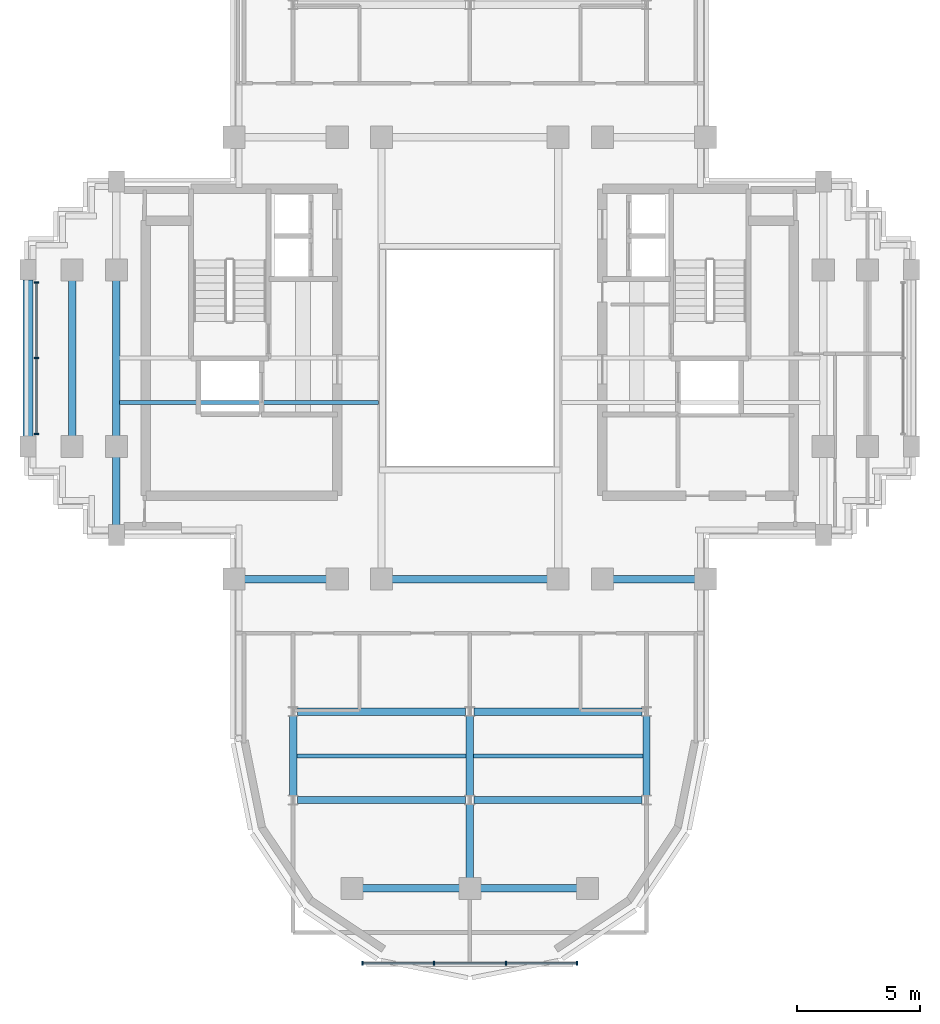
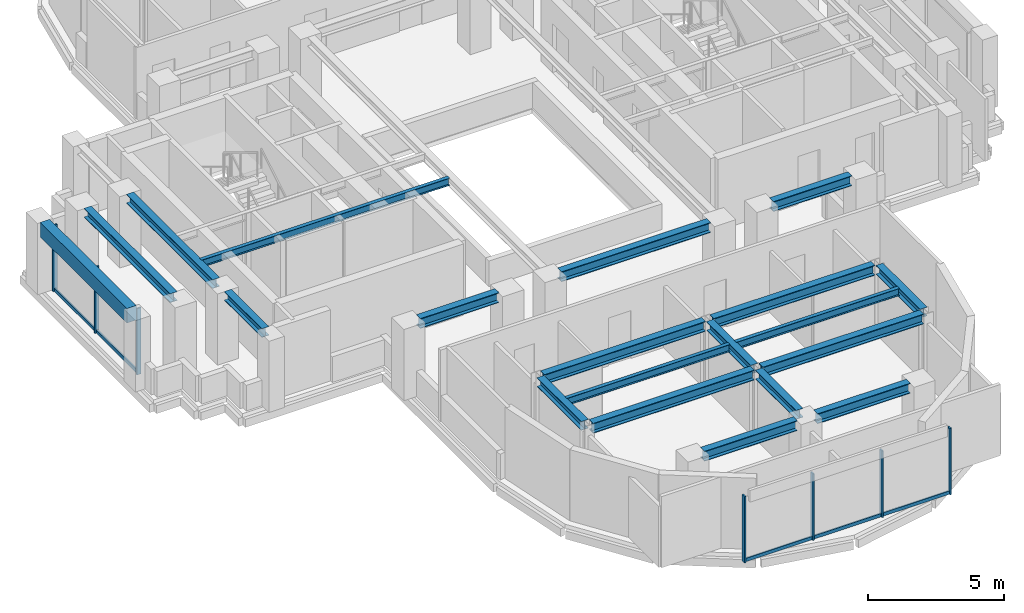
# One storey, part 2 of 11: 20 beams, 12 members, 2 elements without a shape of their own.
"""IFC4 building model written with IfcOpenShell, lengths in metres."""

from ifc_helpers import new_model, si_unit, direction, frame, origin, origin_2d, place, context, subcontext, project, spatial, rectangle, i_section, extrude, source, transform, mapped, material, material_profile, profile_set, type_object, element, aggregate, save


model = new_model("IFC4")

# Units and contexts
model_context = context("Model", 3, precision=1e-05, world=origin(), true_north=direction((0.0, 1.0)))
body_context = subcontext(model_context, "Body", "Model", "MODEL_VIEW")
ifc_project = project(units=[si_unit("LENGTHUNIT", "METRE"), si_unit("AREAUNIT", "SQUARE_METRE"), si_unit("VOLUMEUNIT", "CUBIC_METRE"), si_unit("PLANEANGLEUNIT", "RADIAN"), si_unit("MASSUNIT", "GRAM", prefix="KILO")], contexts=[model_context])

# Site, building, storey
site_placement = place(None, origin())
site = spatial("IfcSite", under=ifc_project, at=site_placement, CompositionType="ELEMENT")
building_placement = place(site_placement, origin())
building = spatial("IfcBuilding", under=site, at=building_placement, Name="Keilestroom Media Tower", CompositionType="ELEMENT")
storey_placement = place(building_placement, frame((0.0, 0.0, 201.199951171875)))
storey = spatial("IfcBuildingStorey", under=building, at=storey_placement, Name="L55", CompositionType="ELEMENT", Elevation=201.199951171875)

# Beams
ifc_material_1 = material(Name="Steel S355", Category="steel")
ifc_material_profile_1 = material_profile(ifc_material_1, i_section(OverallWidth=0.300048828125, OverallDepth=0.449951171875, WebThickness=0.011962890625, FlangeThickness=0.02587890625, at=origin_2d()), Name="HEB 450")
ifc_profile_set_1 = profile_set([ifc_material_profile_1], Name="Steel S355")
beam_type_1 = type_object("IfcBeamType", Name="Primary-Structural-Girder-HEB-450", PredefinedType="BEAM", material=ifc_profile_set_1)
shared_shape_1 = source(origin(), body_context, "Body", "SweptSolid", [
    extrude(i_section(OverallWidth=0.300048828125, OverallDepth=0.449951171875, WebThickness=0.011962890625, FlangeThickness=0.02587890625, at=origin_2d()), origin(), (0.0, 0.0, 1.0), 3.940185546875),
])
for number, where, z_axis, x_axis, name in (
    (1, (-4.3701171875, -21.60009765625, 2.97509765625), (1.0, 0.0, 0.0), (0.0, 1.0, 0.0), "L55 Beam BG-7 BM-L55-EW-001"),
    (2, (0.429931640625, -21.60009765625, 2.97509765625), (1.0, 0.0, 0.0), (0.0, 1.0, 0.0), "L55 Beam BG-7 BM-L55-EW-002"),
):
    element("IfcBeam", number, at=place(storey_placement, frame(where, z_axis=z_axis, x_axis=x_axis)), inside=storey, type_object=beam_type_1, Name=name, PredefinedType="BEAM", context=body_context, shape_type="MappedRepresentation", body=[
        mapped(shared_shape_1, transform((0.0, 0.0, 0.0), x_axis=(1.0, 0.0, 0.0), y_axis=(0.0, 1.0, 0.0), z_axis=(0.0, 0.0, 1.0), scale=1.0)),
    ])
shared_shape_2 = source(origin(), body_context, "Body", "SweptSolid", [
    extrude(i_section(OverallWidth=0.300048828125, OverallDepth=0.449951171875, WebThickness=0.011962890625, FlangeThickness=0.02587890625, at=origin_2d()), origin(), (0.0, 0.0, 1.0), 6.842041015625),
])
for number, where, z_axis, x_axis, name in (
    (3, (-7.02099609375, -18.0, 2.97509765625), (1.0, 0.0, 0.0), (0.0, 1.0, 0.0), "L55 Beam BG-7 BM-L55-EW-003"),
    (4, (0.178955078125, -18.0, 2.97509765625), (1.0, 0.0, 0.0), (0.0, 1.0, 0.0), "L55 Beam BG-7 BM-L55-EW-004"),
    (5, (-7.02099609375, -14.39990234375, 2.97509765625), (1.0, 0.0, 0.0), (0.0, 1.0, 0.0), "L55 Beam BG-7 BM-L55-EW-005"),
    (6, (0.178955078125, -14.39990234375, 2.97509765625), (1.0, 0.0, 0.0), (0.0, 1.0, 0.0), "L55 Beam BG-7 BM-L55-EW-006"),
):
    element("IfcBeam", number, at=place(storey_placement, frame(where, z_axis=z_axis, x_axis=x_axis)), inside=storey, type_object=beam_type_1, Name=name, PredefinedType="BEAM", context=body_context, shape_type="MappedRepresentation", body=[
        mapped(shared_shape_2, transform((0.0, 0.0, 0.0), x_axis=(1.0, 0.0, 0.0), y_axis=(0.0, 1.0, 0.0), z_axis=(0.0, 0.0, 1.0), scale=1.0)),
    ])
shared_shape_3 = source(origin(), body_context, "Body", "SweptSolid", [
    extrude(i_section(OverallWidth=0.300048828125, OverallDepth=0.449951171875, WebThickness=0.011962890625, FlangeThickness=0.02587890625, at=origin_2d()), origin(), (0.0, 0.0, 1.0), 3.33984375),
])
for number, where, z_axis, x_axis, name in (
    (7, (-9.169921875, -9.0, 2.97509765625), (1.0, 0.0, 0.0), (0.0, 1.0, 0.0), "L55 Beam BG-7 BM-L55-EW-007"),
    (8, (5.830078125, -9.0, 2.97509765625), (1.0, 0.0, 0.0), (0.0, 1.0, 0.0), "L55 Beam BG-7 BM-L55-EW-011"),
):
    element("IfcBeam", number, at=place(storey_placement, frame(where, z_axis=z_axis, x_axis=x_axis)), inside=storey, type_object=beam_type_1, Name=name, PredefinedType="BEAM", context=body_context, shape_type="MappedRepresentation", body=[
        mapped(shared_shape_3, transform((0.0, 0.0, 0.0), x_axis=(1.0, 0.0, 0.0), y_axis=(0.0, 1.0, 0.0), z_axis=(0.0, 0.0, 1.0), scale=1.0)),
    ])
shared_shape_4 = source(origin(), body_context, "Body", "SweptSolid", [
    extrude(i_section(OverallWidth=0.300048828125, OverallDepth=0.449951171875, WebThickness=0.011962890625, FlangeThickness=0.02587890625, at=origin_2d()), origin(), (0.0, 0.0, 1.0), 6.33984375),
])
beam_1_placement = place(storey_placement, frame((-3.169921875, -9.0, 2.97509765625), z_axis=(1.0, 0.0, 0.0), x_axis=(0.0, 1.0, 0.0)))
element("IfcBeam", 9, at=beam_1_placement, inside=storey, type_object=beam_type_1, Name="L55 Beam BG-7 BM-L55-EW-009", PredefinedType="BEAM", context=body_context, shape_type="MappedRepresentation", body=[
    mapped(shared_shape_4, transform((0.0, 0.0, 0.0), x_axis=(1.0, 0.0, 0.0), y_axis=(0.0, 1.0, 0.0), z_axis=(0.0, 0.0, 1.0), scale=1.0)),
])
ifc_material_2 = material(Name="Precast concrete C40/50", Category="concrete")
ifc_material_profile_2 = material_profile(ifc_material_2, rectangle(XDim=0.39990234375, YDim=0.64990234375, at=origin_2d()), Name="PC 400x650")
ifc_profile_set_2 = profile_set([ifc_material_profile_2], Name="Precast concrete C40/50")
beam_type_2 = type_object("IfcBeamType", Name="Perimeter-Spandrel-Beam-PC-400x650", PredefinedType="SPANDREL", material=ifc_profile_set_2)
shared_shape_5 = source(origin(), body_context, "Body", "SweptSolid", [
    extrude(rectangle(XDim=0.39990234375, YDim=0.64990234375, at=origin_2d()), origin(), (0.0, 0.0, 1.0), 6.39013671875),
])
beam_2_placement = place(storey_placement, frame((-18.0, -3.195068359375, 2.875), z_axis=(0.0, 1.0, 0.0), x_axis=(-1.0, 0.0, 0.0)))
element("IfcBeam", 10, at=beam_2_placement, inside=storey, type_object=beam_type_2, Name="L55 Beam SPB-2 BM-L55-NS-031", PredefinedType="SPANDREL", context=body_context, shape_type="MappedRepresentation", body=[
    mapped(shared_shape_5, transform((0.0, 0.0, 0.0), x_axis=(1.0, 0.0, 0.0), y_axis=(0.0, 1.0, 0.0), z_axis=(0.0, 0.0, 1.0), scale=1.0)),
])
ifc_material_profile_3 = material_profile(ifc_material_1, i_section(OverallWidth=0.300048828125, OverallDepth=0.39990234375, WebThickness=0.011474609375, FlangeThickness=0.02392578125, at=origin_2d()), Name="HEB 400")
ifc_profile_set_3 = profile_set([ifc_material_profile_3], Name="Steel S355")
beam_type_3 = type_object("IfcBeamType", Name="Primary-Structural-Girder-HEB-400", PredefinedType="BEAM", material=ifc_profile_set_3)
shared_shape_6 = source(origin(), body_context, "Body", "SweptSolid", [
    extrude(i_section(OverallWidth=0.300048828125, OverallDepth=0.39990234375, WebThickness=0.011474609375, FlangeThickness=0.02392578125, at=origin_2d()), origin(), (0.0, 0.0, 1.0), 6.33984375),
])
for number, where, z_axis, x_axis, name in (
    (11, (-16.199951171875, -3.169921875, 3.0), (0.0, 1.0, 0.0), (-1.0, 0.0, 0.0), "L55 Beam BG-8 BM-L55-NS-032"),
    (12, (-14.39990234375, -3.169921875, 3.0), (0.0, 1.0, 0.0), (-1.0, 0.0, 0.0), "L55 Beam BG-8 BM-L55-NS-034"),
):
    element("IfcBeam", number, at=place(storey_placement, frame(where, z_axis=z_axis, x_axis=x_axis)), inside=storey, type_object=beam_type_3, Name=name, PredefinedType="BEAM", context=body_context, shape_type="MappedRepresentation", body=[
        mapped(shared_shape_6, transform((0.0, 0.0, 0.0), x_axis=(1.0, 0.0, 0.0), y_axis=(0.0, 1.0, 0.0), z_axis=(0.0, 0.0, 1.0), scale=1.0)),
    ])
shared_shape_7 = source(origin(), body_context, "Body", "SweptSolid", [
    extrude(i_section(OverallWidth=0.300048828125, OverallDepth=0.39990234375, WebThickness=0.011474609375, FlangeThickness=0.02392578125, at=origin_2d()), origin(), (0.0, 0.0, 1.0), 2.764892578125),
])
beam_3_placement = place(storey_placement, frame((-14.39990234375, -6.794921875, 3.0), z_axis=(0.0, 1.0, 0.0), x_axis=(-1.0, 0.0, 0.0)))
element("IfcBeam", 13, at=beam_3_placement, inside=storey, type_object=beam_type_3, Name="L55 Beam BG-8 BM-L55-NS-033", PredefinedType="BEAM", context=body_context, shape_type="MappedRepresentation", body=[
    mapped(shared_shape_7, transform((0.0, 0.0, 0.0), x_axis=(1.0, 0.0, 0.0), y_axis=(0.0, 1.0, 0.0), z_axis=(0.0, 0.0, 1.0), scale=1.0)),
])
shared_shape_8 = source(origin(), body_context, "Body", "SweptSolid", [
    extrude(i_section(OverallWidth=0.300048828125, OverallDepth=0.39990234375, WebThickness=0.011474609375, FlangeThickness=0.02392578125, at=origin_2d()), origin(), (0.0, 0.0, 1.0), 3.2529296875),
])
for number, where, z_axis, x_axis, name in (
    (14, (-7.199951171875, -17.826416015625, 3.0), (0.0, 1.0, 0.0), (-1.0, 0.0, 0.0), "L55 Beam BG-8 BM-L55-NS-037"),
    (15, (0.0, -17.826416015625, 3.0), (0.0, 1.0, 0.0), (-1.0, 0.0, 0.0), "L55 Beam BG-8 BM-L55-NS-042"),
    (16, (7.199951171875, -17.826416015625, 3.0), (0.0, 1.0, 0.0), (-1.0, 0.0, 0.0), "L55 Beam BG-8 BM-L55-NS-047"),
):
    element("IfcBeam", number, at=place(storey_placement, frame(where, z_axis=z_axis, x_axis=x_axis)), inside=storey, type_object=beam_type_3, Name=name, PredefinedType="BEAM", context=body_context, shape_type="MappedRepresentation", body=[
        mapped(shared_shape_8, transform((0.0, 0.0, 0.0), x_axis=(1.0, 0.0, 0.0), y_axis=(0.0, 1.0, 0.0), z_axis=(0.0, 0.0, 1.0), scale=1.0)),
    ])
shared_shape_9 = source(origin(), body_context, "Body", "SweptSolid", [
    extrude(i_section(OverallWidth=0.300048828125, OverallDepth=0.39990234375, WebThickness=0.011474609375, FlangeThickness=0.02392578125, at=origin_2d()), origin(), (0.0, 0.0, 1.0), 2.996337890625),
])
beam_4_placement = place(storey_placement, frame((0.0, -21.169921875, 3.0), z_axis=(0.0, 1.0, 0.0), x_axis=(-1.0, 0.0, 0.0)))
element("IfcBeam", 17, at=beam_4_placement, inside=storey, type_object=beam_type_3, Name="L55 Beam BG-8 BM-L55-NS-041", PredefinedType="BEAM", context=body_context, shape_type="MappedRepresentation", body=[
    mapped(shared_shape_9, transform((0.0, 0.0, 0.0), x_axis=(1.0, 0.0, 0.0), y_axis=(0.0, 1.0, 0.0), z_axis=(0.0, 0.0, 1.0), scale=1.0)),
])
ifc_material_profile_4 = material_profile(ifc_material_1, i_section(OverallWidth=0.159912109375, OverallDepth=0.330078125, WebThickness=0.007568359375, FlangeThickness=0.011474609375, at=origin_2d()), Name="IPE 330")
ifc_profile_set_4 = profile_set([ifc_material_profile_4], Name="Steel S355")
beam_type_4 = type_object("IfcBeamType", Name="Secondary-Floor-Joist-IPE-330", PredefinedType="JOIST", material=ifc_profile_set_4)
shared_shape_10 = source(origin(), body_context, "Body", "SweptSolid", [
    extrude(i_section(OverallWidth=0.159912109375, OverallDepth=0.330078125, WebThickness=0.007568359375, FlangeThickness=0.011474609375, at=origin_2d()), origin(), (0.0, 0.0, 1.0), 6.940185546875),
])
for number, where, z_axis, x_axis, name in (
    (18, (-7.070068359375, -16.199951171875, 3.03515625), (1.0, 0.0, 0.0), (0.0, 1.0, 0.0), "L55 Beam BJ-6 JST-L55-055"),
    (19, (0.1298828125, -16.199951171875, 3.03515625), (1.0, 0.0, 0.0), (0.0, 1.0, 0.0), "L55 Beam BJ-6 JST-L55-056"),
):
    element("IfcBeam", number, at=place(storey_placement, frame(where, z_axis=z_axis, x_axis=x_axis)), inside=storey, type_object=beam_type_4, Name=name, PredefinedType="JOIST", context=body_context, shape_type="MappedRepresentation", body=[
        mapped(shared_shape_10, transform((0.0, 0.0, 0.0), x_axis=(1.0, 0.0, 0.0), y_axis=(0.0, 1.0, 0.0), z_axis=(0.0, 0.0, 1.0), scale=1.0)),
    ])
shared_shape_11 = source(origin(), body_context, "Body", "SweptSolid", [
    extrude(i_section(OverallWidth=0.159912109375, OverallDepth=0.330078125, WebThickness=0.007568359375, FlangeThickness=0.011474609375, at=origin_2d()), origin(), (0.0, 0.0, 1.0), 10.5400390625),
])
beam_5_placement = place(storey_placement, frame((-14.27001953125, -1.800048828125, 3.03515625), z_axis=(1.0, 0.0, 0.0), x_axis=(0.0, 1.0, 0.0)))
element("IfcBeam", 20, at=beam_5_placement, inside=storey, type_object=beam_type_4, Name="L55 Beam BJ-6 JST-L55-057", PredefinedType="JOIST", context=body_context, shape_type="MappedRepresentation", body=[
    mapped(shared_shape_11, transform((0.0, 0.0, 0.0), x_axis=(1.0, 0.0, 0.0), y_axis=(0.0, 1.0, 0.0), z_axis=(0.0, 0.0, 1.0), scale=1.0)),
])

# Curtain wall, members
ifc_material_3 = material(Name="Anodised Aluminium Alloy", Category="aluminium")
curtain_wall_type_1 = type_object("IfcCurtainWallType", Name="Unitised-Curtain-Wall-CW-6", PredefinedType="NOTDEFINED", material=ifc_material_3)
curtain_wall_1_placement = place(storey_placement, origin())
curtain_wall_1 = element("IfcCurtainWall", 21, at=curtain_wall_1_placement, inside=storey, type_object=curtain_wall_type_1, Name="L55 Curtain Wall CW-6 CW-L55-LS-1", PredefinedType="NOTDEFINED")
ifc_material_profile_5 = material_profile(ifc_material_3, rectangle(XDim=0.06494140625, YDim=0.179931640625, at=origin_2d()), Name="ALU MULLION 65x180")
ifc_profile_set_5 = profile_set([ifc_material_profile_5], Name="Anodised Aluminium Alloy")
member_type_1 = type_object("IfcMemberType", Name="Curtain-Wall-Mullion-CW-6", PredefinedType="MULLION", material=ifc_profile_set_5)
shared_shape_12 = source(origin(), body_context, "Body", "SweptSolid", [
    extrude(rectangle(XDim=0.06494140625, YDim=0.179931640625, at=origin_2d()), origin(), (0.0, 0.0, 1.0), 2.97998046875),
])
member_1_placement = place(storey_placement, frame((-4.367431640625, -24.64990234375, 0.0), z_axis=(0.0, 0.0, 1.0), x_axis=(1.0, 0.0, 0.0)))
member_1 = element("IfcMember", 22, at=member_1_placement, type_object=member_type_1, Name="CW-6 Mullion 00", PredefinedType="MULLION", context=body_context, shape_type="MappedRepresentation", body=[
    mapped(shared_shape_12, transform((0.0, 0.0, 0.0), x_axis=(1.0, 0.0, 0.0), y_axis=(0.0, 1.0, 0.0), z_axis=(0.0, 0.0, 1.0), scale=1.0)),
])
member_2_placement = place(storey_placement, frame((-1.466796875, -24.64990234375, 0.0), z_axis=(0.0, 0.0, 1.0), x_axis=(1.0, 0.0, 0.0)))
member_2 = element("IfcMember", 23, at=member_2_placement, type_object=member_type_1, Name="CW-6 Mullion 01", PredefinedType="MULLION", context=body_context, shape_type="MappedRepresentation", body=[
    mapped(shared_shape_12, transform((0.0, 0.0, 0.0), x_axis=(1.0, 0.0, 0.0), y_axis=(0.0, 1.0, 0.0), z_axis=(0.0, 0.0, 1.0), scale=1.0)),
])
member_3_placement = place(storey_placement, frame((1.466796875, -24.64990234375, 0.0), z_axis=(0.0, 0.0, 1.0), x_axis=(1.0, 0.0, 0.0)))
member_3 = element("IfcMember", 24, at=member_3_placement, type_object=member_type_1, Name="CW-6 Mullion 02", PredefinedType="MULLION", context=body_context, shape_type="MappedRepresentation", body=[
    mapped(shared_shape_12, transform((0.0, 0.0, 0.0), x_axis=(1.0, 0.0, 0.0), y_axis=(0.0, 1.0, 0.0), z_axis=(0.0, 0.0, 1.0), scale=1.0)),
])
member_4_placement = place(storey_placement, frame((4.367431640625, -24.64990234375, 0.0), z_axis=(0.0, 0.0, 1.0), x_axis=(1.0, 0.0, 0.0)))
member_4 = element("IfcMember", 25, at=member_4_placement, type_object=member_type_1, Name="CW-6 Mullion 03", PredefinedType="MULLION", context=body_context, shape_type="MappedRepresentation", body=[
    mapped(shared_shape_12, transform((0.0, 0.0, 0.0), x_axis=(1.0, 0.0, 0.0), y_axis=(0.0, 1.0, 0.0), z_axis=(0.0, 0.0, 1.0), scale=1.0)),
])
ifc_material_profile_6 = material_profile(ifc_material_3, rectangle(XDim=0.06494140625, YDim=0.14990234375, at=origin_2d()), Name="ALU TRANSOM 65x150")
ifc_profile_set_6 = profile_set([ifc_material_profile_6], Name="Anodised Aluminium Alloy")
member_type_2 = type_object("IfcMemberType", Name="Curtain-Wall-Transom-CW-6", PredefinedType="USERDEFINED", material=ifc_profile_set_6)
shared_shape_13 = source(origin(), body_context, "Body", "SweptSolid", [
    extrude(rectangle(XDim=0.06494140625, YDim=0.14990234375, at=origin_2d()), origin(), (0.0, 0.0, 1.0), 2.839599609375),
])
member_5_placement = place(storey_placement, frame((-4.3369140625, -24.64990234375, 0.074951171875), z_axis=(1.0, 0.0, 0.0), x_axis=(0.0, 1.0, 0.0)))
member_5 = element("IfcMember", 26, at=member_5_placement, type_object=member_type_2, Name="CW-6 Transom 00.1", ObjectType="TRANSOM", PredefinedType="USERDEFINED", context=body_context, shape_type="MappedRepresentation", body=[
    mapped(shared_shape_13, transform((0.0, 0.0, 0.0), x_axis=(1.0, 0.0, 0.0), y_axis=(0.0, 1.0, 0.0), z_axis=(0.0, 0.0, 1.0), scale=1.0)),
])
member_6_placement = place(storey_placement, frame((1.497314453125, -24.64990234375, 0.074951171875), z_axis=(1.0, 0.0, 0.0), x_axis=(0.0, 1.0, 0.0)))
member_6 = element("IfcMember", 27, at=member_6_placement, type_object=member_type_2, Name="CW-6 Transom 02.1", ObjectType="TRANSOM", PredefinedType="USERDEFINED", context=body_context, shape_type="MappedRepresentation", body=[
    mapped(shared_shape_13, transform((0.0, 0.0, 0.0), x_axis=(1.0, 0.0, 0.0), y_axis=(0.0, 1.0, 0.0), z_axis=(0.0, 0.0, 1.0), scale=1.0)),
])
shared_shape_14 = source(origin(), body_context, "Body", "SweptSolid", [
    extrude(rectangle(XDim=0.06494140625, YDim=0.14990234375, at=origin_2d()), origin(), (0.0, 0.0, 1.0), 2.87255859375),
])
member_7_placement = place(storey_placement, frame((-1.436279296875, -24.64990234375, 0.074951171875), z_axis=(1.0, 0.0, 0.0), x_axis=(0.0, 1.0, 0.0)))
member_7 = element("IfcMember", 28, at=member_7_placement, type_object=member_type_2, Name="CW-6 Transom 01.1", ObjectType="TRANSOM", PredefinedType="USERDEFINED", context=body_context, shape_type="MappedRepresentation", body=[
    mapped(shared_shape_14, transform((0.0, 0.0, 0.0), x_axis=(1.0, 0.0, 0.0), y_axis=(0.0, 1.0, 0.0), z_axis=(0.0, 0.0, 1.0), scale=1.0)),
])
aggregate(curtain_wall_1, [member_1, member_2, member_3, member_4, member_5, member_7, member_6])

curtain_wall_type_2 = type_object("IfcCurtainWallType", Name="Unitised-Curtain-Wall-CW-3", PredefinedType="NOTDEFINED", material=ifc_material_3)
curtain_wall_2_placement = place(storey_placement, origin())
curtain_wall_2 = element("IfcCurtainWall", 29, at=curtain_wall_2_placement, inside=storey, type_object=curtain_wall_type_2, Name="L55 Curtain Wall CW-3 CW-L55-W-1", PredefinedType="NOTDEFINED")
ifc_material_profile_7 = material_profile(ifc_material_3, rectangle(XDim=0.06494140625, YDim=0.179931640625, at=origin_2d()), Name="ALU MULLION 65x180")
ifc_profile_set_7 = profile_set([ifc_material_profile_7], Name="Anodised Aluminium Alloy")
member_type_3 = type_object("IfcMemberType", Name="Curtain-Wall-Mullion-CW-3", PredefinedType="MULLION", material=ifc_profile_set_7)
shared_shape_15 = source(origin(), body_context, "Body", "SweptSolid", [
    extrude(rectangle(XDim=0.06494140625, YDim=0.179931640625, at=origin_2d()), origin(), (0.0, 0.0, 1.0), 2.97998046875),
])
member_8_placement = place(storey_placement, frame((-17.64990234375, -3.08251953125, 0.0), z_axis=(0.0, 0.0, 1.0), x_axis=(0.0, 1.0, 0.0)))
member_8 = element("IfcMember", 30, at=member_8_placement, type_object=member_type_3, Name="CW-3 Mullion 00", PredefinedType="MULLION", context=body_context, shape_type="MappedRepresentation", body=[
    mapped(shared_shape_15, transform((0.0, 0.0, 0.0), x_axis=(1.0, 0.0, 0.0), y_axis=(0.0, 1.0, 0.0), z_axis=(0.0, 0.0, 1.0), scale=1.0)),
])
member_9_placement = place(storey_placement, frame((-17.64990234375, 0.0, 0.0), z_axis=(0.0, 0.0, 1.0), x_axis=(0.0, 1.0, 0.0)))
member_9 = element("IfcMember", 31, at=member_9_placement, type_object=member_type_3, Name="CW-3 Mullion 01", PredefinedType="MULLION", context=body_context, shape_type="MappedRepresentation", body=[
    mapped(shared_shape_15, transform((0.0, 0.0, 0.0), x_axis=(1.0, 0.0, 0.0), y_axis=(0.0, 1.0, 0.0), z_axis=(0.0, 0.0, 1.0), scale=1.0)),
])
member_10_placement = place(storey_placement, frame((-17.64990234375, 3.08251953125, 0.0), z_axis=(0.0, 0.0, 1.0), x_axis=(0.0, 1.0, 0.0)))
member_10 = element("IfcMember", 32, at=member_10_placement, type_object=member_type_3, Name="CW-3 Mullion 02", PredefinedType="MULLION", context=body_context, shape_type="MappedRepresentation", body=[
    mapped(shared_shape_15, transform((0.0, 0.0, 0.0), x_axis=(1.0, 0.0, 0.0), y_axis=(0.0, 1.0, 0.0), z_axis=(0.0, 0.0, 1.0), scale=1.0)),
])
ifc_material_profile_8 = material_profile(ifc_material_3, rectangle(XDim=0.06494140625, YDim=0.14990234375, at=origin_2d()), Name="ALU TRANSOM 65x150")
ifc_profile_set_8 = profile_set([ifc_material_profile_8], Name="Anodised Aluminium Alloy")
member_type_4 = type_object("IfcMemberType", Name="Curtain-Wall-Transom-CW-3", PredefinedType="USERDEFINED", material=ifc_profile_set_8)
shared_shape_16 = source(origin(), body_context, "Body", "SweptSolid", [
    extrude(rectangle(XDim=0.06494140625, YDim=0.14990234375, at=origin_2d()), origin(), (0.0, 0.0, 1.0), 3.021484375),
])
member_11_placement = place(storey_placement, frame((-17.64990234375, -3.052001953125, 0.074951171875), z_axis=(0.0, 1.0, 0.0), x_axis=(-1.0, 0.0, 0.0)))
member_11 = element("IfcMember", 33, at=member_11_placement, type_object=member_type_4, Name="CW-3 Transom 00.1", ObjectType="TRANSOM", PredefinedType="USERDEFINED", context=body_context, shape_type="MappedRepresentation", body=[
    mapped(shared_shape_16, transform((0.0, 0.0, 0.0), x_axis=(1.0, 0.0, 0.0), y_axis=(0.0, 1.0, 0.0), z_axis=(0.0, 0.0, 1.0), scale=1.0)),
])
member_12_placement = place(storey_placement, frame((-17.64990234375, 0.030517578125, 0.074951171875), z_axis=(0.0, 1.0, 0.0), x_axis=(-1.0, 0.0, 0.0)))
member_12 = element("IfcMember", 34, at=member_12_placement, type_object=member_type_4, Name="CW-3 Transom 01.1", ObjectType="TRANSOM", PredefinedType="USERDEFINED", context=body_context, shape_type="MappedRepresentation", body=[
    mapped(shared_shape_16, transform((0.0, 0.0, 0.0), x_axis=(1.0, 0.0, 0.0), y_axis=(0.0, 1.0, 0.0), z_axis=(0.0, 0.0, 1.0), scale=1.0)),
])
aggregate(curtain_wall_2, [member_8, member_9, member_10, member_11, member_12])

save(model, "model.ifc")
